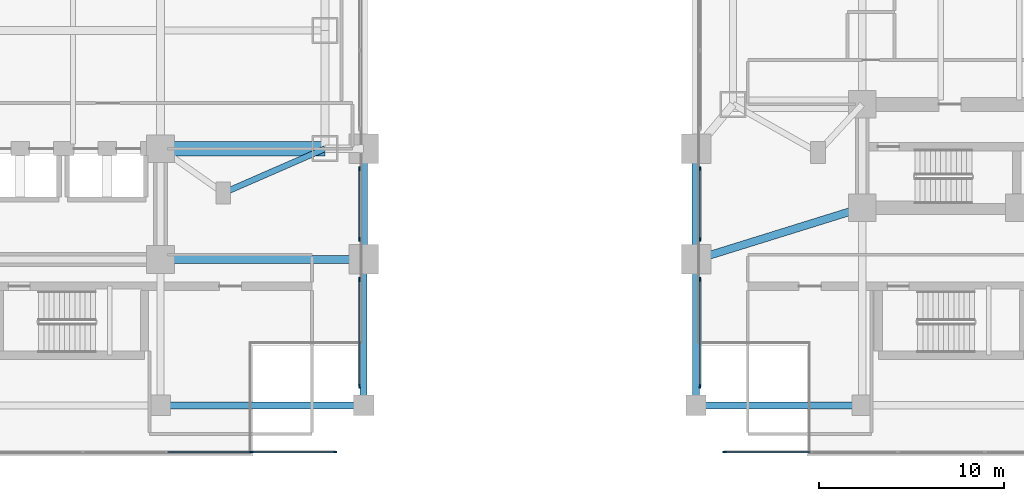
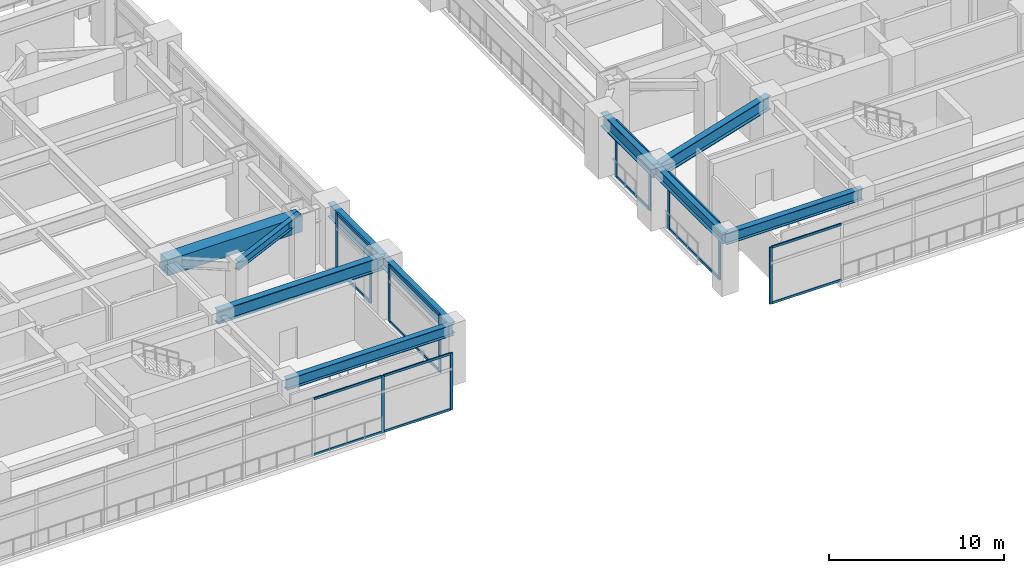
# One storey, part 4 of 31: 25 members, 10 beams, 6 elements without a shape of their own.
"""IFC4 building model written with IfcOpenShell, lengths in metres."""

from ifc_helpers import new_model, si_unit, direction, frame, origin, origin_2d, place, context, subcontext, project, spatial, rectangle, i_section, extrude, material, material_profile, profile_set, type_object, element, aggregate, save


model = new_model("IFC4")

# Units and contexts
model_context = context("Model", 3, precision=1e-05, world=origin(), true_north=direction((0.0, 1.0)))
body_context = subcontext(model_context, "Body", "Model", "MODEL_VIEW")
ifc_project = project(units=[si_unit("LENGTHUNIT", "METRE"), si_unit("AREAUNIT", "SQUARE_METRE"), si_unit("VOLUMEUNIT", "CUBIC_METRE"), si_unit("PLANEANGLEUNIT", "RADIAN"), si_unit("MASSUNIT", "GRAM", prefix="KILO")], contexts=[model_context])

# Site, building, storey
site_placement = place(None, origin())
site = spatial("IfcSite", under=ifc_project, at=site_placement, CompositionType="ELEMENT")
building_placement = place(site_placement, origin())
building = spatial("IfcBuilding", under=site, at=building_placement, Name="Mirazonda Arch Towers", CompositionType="ELEMENT")
storey_placement = place(building_placement, frame((0.0, 0.0, 5.199951171875)))
storey = spatial("IfcBuildingStorey", under=building, at=storey_placement, Name="L01", CompositionType="ELEMENT", Elevation=5.199951171875)

# Beams
ifc_material_1 = material(Name="Steel ASTM A992 Grade 50", Category="steel")
ifc_material_profile_1 = material_profile(ifc_material_1, i_section(OverallWidth=0.381103515625, OverallDepth=0.77294921875, WebThickness=0.0166015625, FlangeThickness=0.027099609375, at=origin_2d()), Name="W30X173")
ifc_profile_set_1 = profile_set([ifc_material_profile_1], Name="Steel ASTM A992 Grade 50")
beam_type_1 = type_object("IfcBeamType", Name="BM-EXT-W30X173", PredefinedType="USERDEFINED", material=ifc_profile_set_1)
beam_1_placement = place(storey_placement, frame((30.0, 4.5, 3.593505859375), z_axis=(1.0, 0.0, 0.0), x_axis=(0.0, 1.0, 0.0)))
element("IfcBeam", 1, at=beam_1_placement, inside=storey, type_object=beam_type_1, Name="L01 Floor Beam BM-POD-L01-PS-3", ObjectType="GIRDER", PredefinedType="USERDEFINED", context=body_context, shape_type="SweptSolid", body=[
    extrude(i_section(OverallWidth=0.381103515625, OverallDepth=0.77294921875, WebThickness=0.0166015625, FlangeThickness=0.027099609375, at=origin_2d()), origin(), (0.0, 0.0, 1.0), 11.0),
])
beam_2_placement = place(storey_placement, frame((59.0, 4.5, 3.593505859375), z_axis=(1.0, 0.0, 0.0), x_axis=(0.0, 1.0, 0.0)))
element("IfcBeam", 2, at=beam_2_placement, inside=storey, type_object=beam_type_1, Name="L01 Floor Beam BM-POD-L01-PS-4", ObjectType="GIRDER", PredefinedType="USERDEFINED", context=body_context, shape_type="SweptSolid", body=[
    extrude(i_section(OverallWidth=0.381103515625, OverallDepth=0.77294921875, WebThickness=0.0166015625, FlangeThickness=0.027099609375, at=origin_2d()), origin(), (0.0, 0.0, 1.0), 9.0),
])
ifc_material_profile_2 = material_profile(ifc_material_1, i_section(OverallWidth=0.423095703125, OverallDepth=0.947998046875, WebThickness=0.02392578125, FlangeThickness=0.042724609375, at=origin_2d()), Name="W36X302")
ifc_profile_set_2 = profile_set([ifc_material_profile_2], Name="Steel ASTM A992 Grade 50")
beam_type_2 = type_object("IfcBeamType", Name="BM-EXT-W36X302", PredefinedType="USERDEFINED", material=ifc_profile_set_2)
for number, where, z_axis, x_axis, name in (
    (3, (41.0, 12.39990234375, 3.506103515625), (0.0, 1.0, 0.0), (-1.0, 0.0, 0.0), "L01 Floor Beam BM-POD-L01-PA-WL1"),
    (4, (59.0, 12.39990234375, 3.506103515625), (0.0, 1.0, 0.0), (-1.0, 0.0, 0.0), "L01 Floor Beam BM-POD-L01-PA-EL1"),
):
    element("IfcBeam", number, at=place(storey_placement, frame(where, z_axis=z_axis, x_axis=x_axis)), inside=storey, type_object=beam_type_2, Name=name, ObjectType="GIRDER", PredefinedType="USERDEFINED", context=body_context, shape_type="SweptSolid", body=[
        extrude(i_section(OverallWidth=0.423095703125, OverallDepth=0.947998046875, WebThickness=0.02392578125, FlangeThickness=0.042724609375, at=origin_2d()), origin(), (0.0, 0.0, 1.0), 6.0),
    ])
ifc_material_profile_3 = material_profile(ifc_material_1, i_section(OverallWidth=0.324951171875, OverallDepth=0.615966796875, WebThickness=0.013916015625, FlangeThickness=0.021484375, at=origin_2d()), Name="W24X117")
ifc_profile_set_3 = profile_set([ifc_material_profile_3], Name="Steel ASTM A992 Grade 50")
beam_type_3 = type_object("IfcBeamType", Name="BM-INT-W24X117", PredefinedType="BEAM", material=ifc_profile_set_3)
beam_3_placement = place(storey_placement, frame((33.39990234375, 16.0, 3.672119140625), z_axis=(0.916545343703, 0.399930785183, 0.0), x_axis=(-0.399930785183, 0.916545343703, 0.0)))
element("IfcBeam", 5, at=beam_3_placement, inside=storey, type_object=beam_type_3, Name="L01 Floor Beam BM-T1-L01-PL-SE2", PredefinedType="BEAM", context=body_context, shape_type="SweptSolid", body=[
    extrude(i_section(OverallWidth=0.324951171875, OverallDepth=0.615966796875, WebThickness=0.013916015625, FlangeThickness=0.021484375, at=origin_2d()), origin(), (0.0, 0.0, 1.0), 6.000732421875),
])
ifc_material_profile_4 = material_profile(ifc_material_1, i_section(OverallWidth=0.381103515625, OverallDepth=0.77294921875, WebThickness=0.0166015625, FlangeThickness=0.027099609375, at=origin_2d()), Name="W30X173")
ifc_profile_set_4 = profile_set([ifc_material_profile_4], Name="Steel ASTM A992 Grade 50")
beam_type_4 = type_object("IfcBeamType", Name="BM-INT-W30X173", PredefinedType="USERDEFINED", material=ifc_profile_set_4)
for number, where, z_axis, x_axis, name in (
    (6, (41.0, 4.5, 3.593505859375), (0.0, 1.0, 0.0), (-1.0, 0.0, 0.0), "L01 Floor Beam BM-POD-L01-PCS-4"),
    (7, (59.0, 4.5, 3.593505859375), (0.0, 1.0, 0.0), (-1.0, 0.0, 0.0), "L01 Floor Beam BM-POD-L01-PCS-5"),
):
    element("IfcBeam", number, at=place(storey_placement, frame(where, z_axis=z_axis, x_axis=x_axis)), inside=storey, type_object=beam_type_4, Name=name, ObjectType="GIRDER", PredefinedType="USERDEFINED", context=body_context, shape_type="SweptSolid", body=[
        extrude(i_section(OverallWidth=0.381103515625, OverallDepth=0.77294921875, WebThickness=0.0166015625, FlangeThickness=0.027099609375, at=origin_2d()), origin(), (0.0, 0.0, 1.0), 7.89990234375),
    ])
ifc_material_profile_5 = material_profile(ifc_material_1, i_section(OverallWidth=0.423095703125, OverallDepth=0.947998046875, WebThickness=0.02392578125, FlangeThickness=0.042724609375, at=origin_2d()), Name="W36X302")
ifc_profile_set_5 = profile_set([ifc_material_profile_5], Name="Steel ASTM A992 Grade 50")
beam_type_5 = type_object("IfcBeamType", Name="BM-INT-W36X302", PredefinedType="USERDEFINED", material=ifc_profile_set_5)
beam_4_placement = place(storey_placement, frame((30.0, 12.39990234375, 3.506103515625), z_axis=(1.0, 0.0, 0.0), x_axis=(0.0, 1.0, 0.0)))
element("IfcBeam", 8, at=beam_4_placement, inside=storey, type_object=beam_type_5, Name="L01 Floor Beam BM-POD-L01-PA-W1", ObjectType="GIRDER", PredefinedType="USERDEFINED", context=body_context, shape_type="SweptSolid", body=[
    extrude(i_section(OverallWidth=0.423095703125, OverallDepth=0.947998046875, WebThickness=0.02392578125, FlangeThickness=0.042724609375, at=origin_2d()), origin(), (0.0, 0.0, 1.0), 11.0),
])
beam_5_placement = place(storey_placement, frame((59.0, 12.39990234375, 3.506103515625), z_axis=(0.954855306861, 0.29707127589, 0.0), x_axis=(-0.29707127589, 0.954855306861, 0.0)))
element("IfcBeam", 9, at=beam_5_placement, inside=storey, type_object=beam_type_5, Name="L01 Floor Beam BM-POD-L01-PA-E1", ObjectType="GIRDER", PredefinedType="USERDEFINED", context=body_context, shape_type="SweptSolid", body=[
    extrude(i_section(OverallWidth=0.423095703125, OverallDepth=0.947998046875, WebThickness=0.02392578125, FlangeThickness=0.042724609375, at=origin_2d()), origin(), (0.0, 0.0, 1.0), 9.425537109375),
])
ifc_material_2 = material(Name="Concrete C60/75", Category="concrete")
ifc_material_profile_6 = material_profile(ifc_material_2, rectangle(XDim=0.800048828125, YDim=1.10009765625, at=origin_2d()), Name="RCCB800x1100")
ifc_profile_set_6 = profile_set([ifc_material_profile_6], Name="Concrete C60/75")
beam_type_6 = type_object("IfcBeamType", Name="CB-INT-RCCB800x1100", PredefinedType="SPANDREL", material=ifc_profile_set_6)
beam_6_placement = place(storey_placement, frame((30.0, 18.39990234375, 3.429931640625), z_axis=(1.0, 0.0, 0.0), x_axis=(0.0, 1.0, 0.0)))
element("IfcBeam", 10, at=beam_6_placement, inside=storey, type_object=beam_type_6, Name="L01 Floor Beam CB-T1-L01-SE", PredefinedType="SPANDREL", context=body_context, shape_type="SweptSolid", body=[
    extrude(rectangle(XDim=0.800048828125, YDim=1.10009765625, at=origin_2d()), origin(), (0.0, 0.0, 1.0), 8.89990234375),
])

# Curtain wall, members
ifc_material_3 = material(Name="Anodised Aluminium and Low-E Glass", Category="aluminium")
curtain_wall_type_1 = type_object("IfcCurtainWallType", Name="CW-ARCH-GLAZE", PredefinedType="NOTDEFINED", material=ifc_material_3)
curtain_wall_1_placement = place(storey_placement, origin())
curtain_wall_1 = element("IfcCurtainWall", 11, at=curtain_wall_1_placement, inside=storey, type_object=curtain_wall_type_1, Name="L01 Curtain Wall CW-L01-AW-S3", PredefinedType="NOTDEFINED")
ifc_material_4 = material(Name="Anodised Aluminium Alloy", Category="aluminium")
ifc_material_profile_7 = material_profile(ifc_material_4, rectangle(XDim=0.090087890625, YDim=0.219970703125, at=origin_2d()), Name="ALU-MULL-90x220")
ifc_profile_set_7 = profile_set([ifc_material_profile_7], Name="Anodised Aluminium Alloy")
member_type_1 = type_object("IfcMemberType", Name="MULL-CW-ARCH-GLAZE", PredefinedType="MULLION", material=ifc_profile_set_7)
member_1_placement = place(storey_placement, frame((40.780029296875, 17.31494140625, 0.0), z_axis=(0.0, 0.0, 1.0), x_axis=(1.0, 0.0, 0.0)))
member_1 = element("IfcMember", 12, at=member_1_placement, type_object=member_type_1, Name="CW-106 mullion 1", PredefinedType="MULLION", context=body_context, shape_type="SweptSolid", body=[
    extrude(rectangle(XDim=0.090087890625, YDim=0.219970703125, at=origin_2d()), origin(), (0.0, 0.0, 1.0), 3.9599609375),
])
member_2_placement = place(storey_placement, frame((40.780029296875, 13.485107421875, 0.0), z_axis=(0.0, 0.0, 1.0), x_axis=(1.0, 0.0, 0.0)))
member_2 = element("IfcMember", 13, at=member_2_placement, type_object=member_type_1, Name="CW-106 mullion 2", PredefinedType="MULLION", context=body_context, shape_type="SweptSolid", body=[
    extrude(rectangle(XDim=0.090087890625, YDim=0.219970703125, at=origin_2d()), origin(), (0.0, 0.0, 1.0), 3.9599609375),
])

curtain_wall_2_placement = place(storey_placement, origin())
curtain_wall_2 = element("IfcCurtainWall", 14, at=curtain_wall_2_placement, inside=storey, type_object=curtain_wall_type_1, Name="L01 Curtain Wall CW-L01-AW-S4", PredefinedType="NOTDEFINED")
member_3_placement = place(storey_placement, frame((40.780029296875, 11.31494140625, 0.0), z_axis=(0.0, 0.0, 1.0), x_axis=(1.0, 0.0, 0.0)))
member_3 = element("IfcMember", 15, at=member_3_placement, type_object=member_type_1, Name="CW-106 mullion 1", PredefinedType="MULLION", context=body_context, shape_type="SweptSolid", body=[
    extrude(rectangle(XDim=0.090087890625, YDim=0.219970703125, at=origin_2d()), origin(), (0.0, 0.0, 1.0), 3.9599609375),
])
member_4_placement = place(storey_placement, frame((40.780029296875, 5.544921875, 0.0), z_axis=(0.0, 0.0, 1.0), x_axis=(1.0, 0.0, 0.0)))
member_4 = element("IfcMember", 16, at=member_4_placement, type_object=member_type_1, Name="CW-106 mullion 2", PredefinedType="MULLION", context=body_context, shape_type="SweptSolid", body=[
    extrude(rectangle(XDim=0.090087890625, YDim=0.219970703125, at=origin_2d()), origin(), (0.0, 0.0, 1.0), 3.9599609375),
])

curtain_wall_3_placement = place(storey_placement, origin())
curtain_wall_3 = element("IfcCurtainWall", 17, at=curtain_wall_3_placement, inside=storey, type_object=curtain_wall_type_1, Name="L01 Curtain Wall CW-L01-AE-S1", PredefinedType="NOTDEFINED")
member_5_placement = place(storey_placement, frame((59.219970703125, 5.544921875, 0.0), z_axis=(0.0, 0.0, 1.0), x_axis=(-1.0, 0.0, 0.0)))
member_5 = element("IfcMember", 18, at=member_5_placement, type_object=member_type_1, Name="CW-106 mullion 1", PredefinedType="MULLION", context=body_context, shape_type="SweptSolid", body=[
    extrude(rectangle(XDim=0.090087890625, YDim=0.219970703125, at=origin_2d()), origin(), (0.0, 0.0, 1.0), 3.9599609375),
])
member_6_placement = place(storey_placement, frame((59.219970703125, 11.31494140625, 0.0), z_axis=(0.0, 0.0, 1.0), x_axis=(-1.0, 0.0, 0.0)))
member_6 = element("IfcMember", 19, at=member_6_placement, type_object=member_type_1, Name="CW-106 mullion 2", PredefinedType="MULLION", context=body_context, shape_type="SweptSolid", body=[
    extrude(rectangle(XDim=0.090087890625, YDim=0.219970703125, at=origin_2d()), origin(), (0.0, 0.0, 1.0), 3.9599609375),
])

curtain_wall_4_placement = place(storey_placement, origin())
curtain_wall_4 = element("IfcCurtainWall", 20, at=curtain_wall_4_placement, inside=storey, type_object=curtain_wall_type_1, Name="L01 Curtain Wall CW-L01-AE-S2", PredefinedType="NOTDEFINED")
member_7_placement = place(storey_placement, frame((59.219970703125, 13.485107421875, 0.0), z_axis=(0.0, 0.0, 1.0), x_axis=(-1.0, 0.0, 0.0)))
member_7 = element("IfcMember", 21, at=member_7_placement, type_object=member_type_1, Name="CW-106 mullion 1", PredefinedType="MULLION", context=body_context, shape_type="SweptSolid", body=[
    extrude(rectangle(XDim=0.090087890625, YDim=0.219970703125, at=origin_2d()), origin(), (0.0, 0.0, 1.0), 3.9599609375),
])
member_8_placement = place(storey_placement, frame((59.219970703125, 17.31494140625, 0.0), z_axis=(0.0, 0.0, 1.0), x_axis=(-1.0, 0.0, 0.0)))
member_8 = element("IfcMember", 22, at=member_8_placement, type_object=member_type_1, Name="CW-106 mullion 2", PredefinedType="MULLION", context=body_context, shape_type="SweptSolid", body=[
    extrude(rectangle(XDim=0.090087890625, YDim=0.219970703125, at=origin_2d()), origin(), (0.0, 0.0, 1.0), 3.9599609375),
])

curtain_wall_type_2 = type_object("IfcCurtainWallType", Name="CW-POD-STORE", PredefinedType="NOTDEFINED", material=ifc_material_3)
curtain_wall_5_placement = place(storey_placement, origin())
curtain_wall_5 = element("IfcCurtainWall", 23, at=curtain_wall_5_placement, inside=storey, type_object=curtain_wall_type_2, Name="L01 Curtain Wall CW-L01-WS", PredefinedType="NOTDEFINED")
ifc_material_profile_8 = material_profile(ifc_material_4, rectangle(XDim=0.080078125, YDim=0.179931640625, at=origin_2d()), Name="ALU-MULL-80x180")
ifc_profile_set_8 = profile_set([ifc_material_profile_8], Name="Anodised Aluminium Alloy")
member_type_2 = type_object("IfcMemberType", Name="MULL-CW-POD-STORE", PredefinedType="MULLION", material=ifc_profile_set_8)
member_9_placement = place(storey_placement, frame((39.4599609375, 1.969970703125, 0.0), z_axis=(0.0, 0.0, 1.0), x_axis=(0.0, -1.0, 0.0)))
member_9 = element("IfcMember", 24, at=member_9_placement, type_object=member_type_2, Name="CW-102 mullion 1", PredefinedType="MULLION", context=body_context, shape_type="SweptSolid", body=[
    extrude(rectangle(XDim=0.080078125, YDim=0.179931640625, at=origin_2d()), origin(), (0.0, 0.0, 1.0), 3.9599609375),
])
member_10_placement = place(storey_placement, frame((34.928466796875, 1.969970703125, 0.0), z_axis=(0.0, 0.0, 1.0), x_axis=(0.0, -1.0, 0.0)))
member_10 = element("IfcMember", 25, at=member_10_placement, type_object=member_type_2, Name="CW-102 mullion 2", PredefinedType="MULLION", context=body_context, shape_type="SweptSolid", body=[
    extrude(rectangle(XDim=0.080078125, YDim=0.179931640625, at=origin_2d()), origin(), (0.0, 0.0, 1.0), 3.9599609375),
])

# Curtain wall, member
curtain_wall_6_placement = place(storey_placement, origin())
curtain_wall_6 = element("IfcCurtainWall", 26, at=curtain_wall_6_placement, inside=storey, type_object=curtain_wall_type_2, Name="L01 Curtain Wall CW-L01-ES", PredefinedType="NOTDEFINED")
member_11_placement = place(storey_placement, frame((60.5400390625, 1.969970703125, 0.0), z_axis=(0.0, 0.0, 1.0), x_axis=(0.0, -1.0, 0.0)))
member_11 = element("IfcMember", 27, at=member_11_placement, type_object=member_type_2, Name="CW-102 mullion 8", PredefinedType="MULLION", context=body_context, shape_type="SweptSolid", body=[
    extrude(rectangle(XDim=0.080078125, YDim=0.179931640625, at=origin_2d()), origin(), (0.0, 0.0, 1.0), 3.9599609375),
])

# Member
ifc_material_profile_9 = material_profile(ifc_material_4, rectangle(XDim=0.090087890625, YDim=0.199951171875, at=origin_2d()), Name="ALU-TRAN-90x200")
ifc_profile_set_9 = profile_set([ifc_material_profile_9], Name="Anodised Aluminium Alloy")
member_type_3 = type_object("IfcMemberType", Name="TRAN-CW-ARCH-GLAZE", PredefinedType="USERDEFINED", material=ifc_profile_set_9)
member_12_placement = place(storey_placement, frame((40.780029296875, 17.27001953125, 0.045166015625), z_axis=(0.0, -1.0, 0.0), x_axis=(1.0, 0.0, 0.0)))
member_12 = element("IfcMember", 28, at=member_12_placement, type_object=member_type_3, Name="CW-106 transom 1.1", ObjectType="TRANSOM", PredefinedType="USERDEFINED", context=body_context, shape_type="SweptSolid", body=[
    extrude(rectangle(XDim=0.090087890625, YDim=0.199951171875, at=origin_2d()), origin(), (0.0, 0.0, 1.0), 3.739990234375),
])

member_13_placement = place(storey_placement, frame((40.780029296875, 17.27001953125, 3.9150390625), z_axis=(0.0, -1.0, 0.0), x_axis=(1.0, 0.0, 0.0)))
member_13 = element("IfcMember", 29, at=member_13_placement, type_object=member_type_3, Name="CW-106 transom 1.2", ObjectType="TRANSOM", PredefinedType="USERDEFINED", context=body_context, shape_type="SweptSolid", body=[
    extrude(rectangle(XDim=0.090087890625, YDim=0.199951171875, at=origin_2d()), origin(), (0.0, 0.0, 1.0), 3.739990234375),
])

aggregate(curtain_wall_1, [member_1, member_2, member_12, member_13])

member_14_placement = place(storey_placement, frame((40.780029296875, 11.27001953125, 0.045166015625), z_axis=(0.0, -1.0, 0.0), x_axis=(1.0, 0.0, 0.0)))
member_14 = element("IfcMember", 30, at=member_14_placement, type_object=member_type_3, Name="CW-106 transom 1.1", ObjectType="TRANSOM", PredefinedType="USERDEFINED", context=body_context, shape_type="SweptSolid", body=[
    extrude(rectangle(XDim=0.090087890625, YDim=0.199951171875, at=origin_2d()), origin(), (0.0, 0.0, 1.0), 5.679931640625),
])

member_15_placement = place(storey_placement, frame((40.780029296875, 11.27001953125, 3.9150390625), z_axis=(0.0, -1.0, 0.0), x_axis=(1.0, 0.0, 0.0)))
member_15 = element("IfcMember", 31, at=member_15_placement, type_object=member_type_3, Name="CW-106 transom 1.2", ObjectType="TRANSOM", PredefinedType="USERDEFINED", context=body_context, shape_type="SweptSolid", body=[
    extrude(rectangle(XDim=0.090087890625, YDim=0.199951171875, at=origin_2d()), origin(), (0.0, 0.0, 1.0), 5.679931640625),
])

aggregate(curtain_wall_2, [member_3, member_4, member_14, member_15])

member_16_placement = place(storey_placement, frame((59.219970703125, 5.590087890625, 0.045166015625), z_axis=(0.0, 1.0, 0.0), x_axis=(-1.0, 0.0, 0.0)))
member_16 = element("IfcMember", 32, at=member_16_placement, type_object=member_type_3, Name="CW-106 transom 1.1", ObjectType="TRANSOM", PredefinedType="USERDEFINED", context=body_context, shape_type="SweptSolid", body=[
    extrude(rectangle(XDim=0.090087890625, YDim=0.199951171875, at=origin_2d()), origin(), (0.0, 0.0, 1.0), 5.679931640625),
])

member_17_placement = place(storey_placement, frame((59.219970703125, 5.590087890625, 3.9150390625), z_axis=(0.0, 1.0, 0.0), x_axis=(-1.0, 0.0, 0.0)))
member_17 = element("IfcMember", 33, at=member_17_placement, type_object=member_type_3, Name="CW-106 transom 1.2", ObjectType="TRANSOM", PredefinedType="USERDEFINED", context=body_context, shape_type="SweptSolid", body=[
    extrude(rectangle(XDim=0.090087890625, YDim=0.199951171875, at=origin_2d()), origin(), (0.0, 0.0, 1.0), 5.679931640625),
])

aggregate(curtain_wall_3, [member_5, member_6, member_16, member_17])

member_18_placement = place(storey_placement, frame((59.219970703125, 13.530029296875, 0.045166015625), z_axis=(0.0, 1.0, 0.0), x_axis=(-1.0, 0.0, 0.0)))
member_18 = element("IfcMember", 34, at=member_18_placement, type_object=member_type_3, Name="CW-106 transom 1.1", ObjectType="TRANSOM", PredefinedType="USERDEFINED", context=body_context, shape_type="SweptSolid", body=[
    extrude(rectangle(XDim=0.090087890625, YDim=0.199951171875, at=origin_2d()), origin(), (0.0, 0.0, 1.0), 3.739990234375),
])

member_19_placement = place(storey_placement, frame((59.219970703125, 13.530029296875, 3.9150390625), z_axis=(0.0, 1.0, 0.0), x_axis=(-1.0, 0.0, 0.0)))
member_19 = element("IfcMember", 35, at=member_19_placement, type_object=member_type_3, Name="CW-106 transom 1.2", ObjectType="TRANSOM", PredefinedType="USERDEFINED", context=body_context, shape_type="SweptSolid", body=[
    extrude(rectangle(XDim=0.090087890625, YDim=0.199951171875, at=origin_2d()), origin(), (0.0, 0.0, 1.0), 3.739990234375),
])

aggregate(curtain_wall_4, [member_7, member_8, member_18, member_19])

ifc_material_profile_10 = material_profile(ifc_material_4, rectangle(XDim=0.080078125, YDim=0.159912109375, at=origin_2d()), Name="ALU-TRAN-80x160")
ifc_profile_set_10 = profile_set([ifc_material_profile_10], Name="Anodised Aluminium Alloy")
member_type_4 = type_object("IfcMemberType", Name="TRAN-CW-POD-STORE", PredefinedType="USERDEFINED", material=ifc_profile_set_10)
member_20_placement = place(storey_placement, frame((39.419921875, 1.969970703125, 0.0400390625), z_axis=(-1.0, 0.0, 0.0), x_axis=(0.0, -1.0, 0.0)))
member_20 = element("IfcMember", 36, at=member_20_placement, type_object=member_type_4, Name="CW-102 transom 1.1", ObjectType="TRANSOM", PredefinedType="USERDEFINED", context=body_context, shape_type="SweptSolid", body=[
    extrude(rectangle(XDim=0.080078125, YDim=0.159912109375, at=origin_2d()), origin(), (0.0, 0.0, 1.0), 4.451416015625),
])

member_21_placement = place(storey_placement, frame((39.419921875, 1.969970703125, 3.920166015625), z_axis=(-1.0, 0.0, 0.0), x_axis=(0.0, -1.0, 0.0)))
member_21 = element("IfcMember", 37, at=member_21_placement, type_object=member_type_4, Name="CW-102 transom 1.2", ObjectType="TRANSOM", PredefinedType="USERDEFINED", context=body_context, shape_type="SweptSolid", body=[
    extrude(rectangle(XDim=0.080078125, YDim=0.159912109375, at=origin_2d()), origin(), (0.0, 0.0, 1.0), 4.451416015625),
])

member_22_placement = place(storey_placement, frame((34.888671875, 1.969970703125, 0.0400390625), z_axis=(-1.0, 0.0, 0.0), x_axis=(0.0, -1.0, 0.0)))
member_22 = element("IfcMember", 38, at=member_22_placement, type_object=member_type_4, Name="CW-102 transom 2.1", ObjectType="TRANSOM", PredefinedType="USERDEFINED", context=body_context, shape_type="SweptSolid", body=[
    extrude(rectangle(XDim=0.080078125, YDim=0.159912109375, at=origin_2d()), origin(), (0.0, 0.0, 1.0), 4.491455078125),
])

member_23_placement = place(storey_placement, frame((34.888671875, 1.969970703125, 3.920166015625), z_axis=(-1.0, 0.0, 0.0), x_axis=(0.0, -1.0, 0.0)))
member_23 = element("IfcMember", 39, at=member_23_placement, type_object=member_type_4, Name="CW-102 transom 2.2", ObjectType="TRANSOM", PredefinedType="USERDEFINED", context=body_context, shape_type="SweptSolid", body=[
    extrude(rectangle(XDim=0.080078125, YDim=0.159912109375, at=origin_2d()), origin(), (0.0, 0.0, 1.0), 4.491455078125),
])

aggregate(curtain_wall_5, [member_9, member_10, member_20, member_21, member_22, member_23])

member_24_placement = place(storey_placement, frame((65.17431640625, 1.969970703125, 0.0400390625), z_axis=(-1.0, 0.0, 0.0), x_axis=(0.0, -1.0, 0.0)))
member_24 = element("IfcMember", 40, at=member_24_placement, type_object=member_type_4, Name="CW-102 transom 7.1", ObjectType="TRANSOM", PredefinedType="USERDEFINED", context=body_context, shape_type="SweptSolid", body=[
    extrude(rectangle(XDim=0.080078125, YDim=0.159912109375, at=origin_2d()), origin(), (0.0, 0.0, 1.0), 4.59423828125),
])

member_25_placement = place(storey_placement, frame((65.17431640625, 1.969970703125, 3.920166015625), z_axis=(-1.0, 0.0, 0.0), x_axis=(0.0, -1.0, 0.0)))
member_25 = element("IfcMember", 41, at=member_25_placement, type_object=member_type_4, Name="CW-102 transom 7.2", ObjectType="TRANSOM", PredefinedType="USERDEFINED", context=body_context, shape_type="SweptSolid", body=[
    extrude(rectangle(XDim=0.080078125, YDim=0.159912109375, at=origin_2d()), origin(), (0.0, 0.0, 1.0), 4.59423828125),
])

aggregate(curtain_wall_6, [member_11, member_24, member_25])

save(model, "model.ifc")
